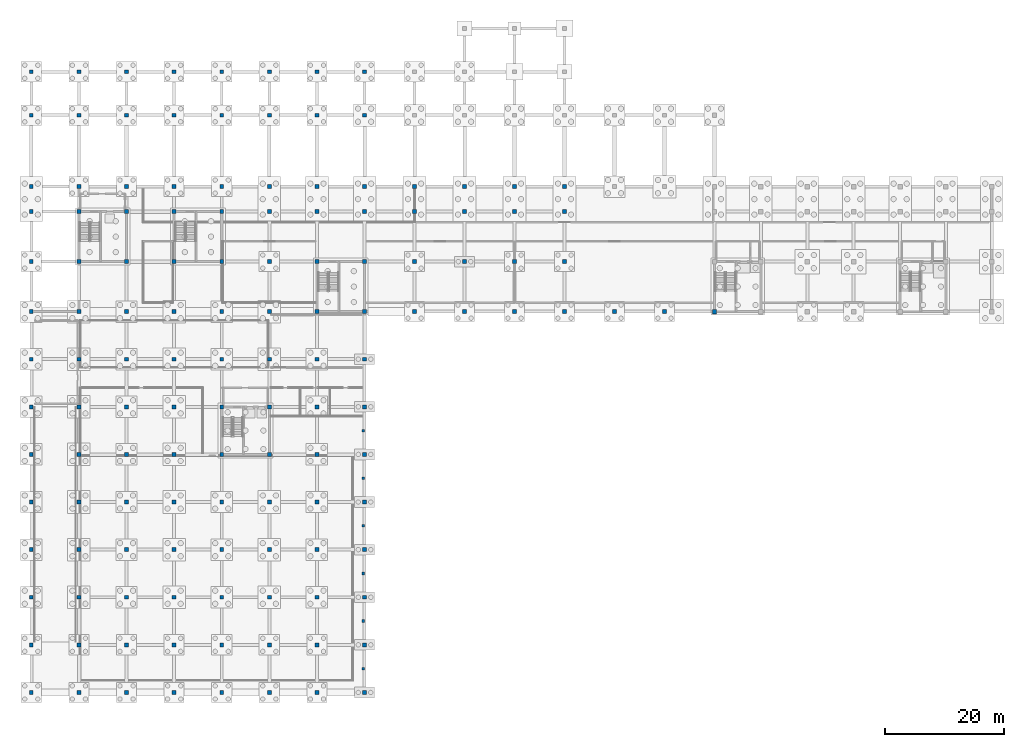
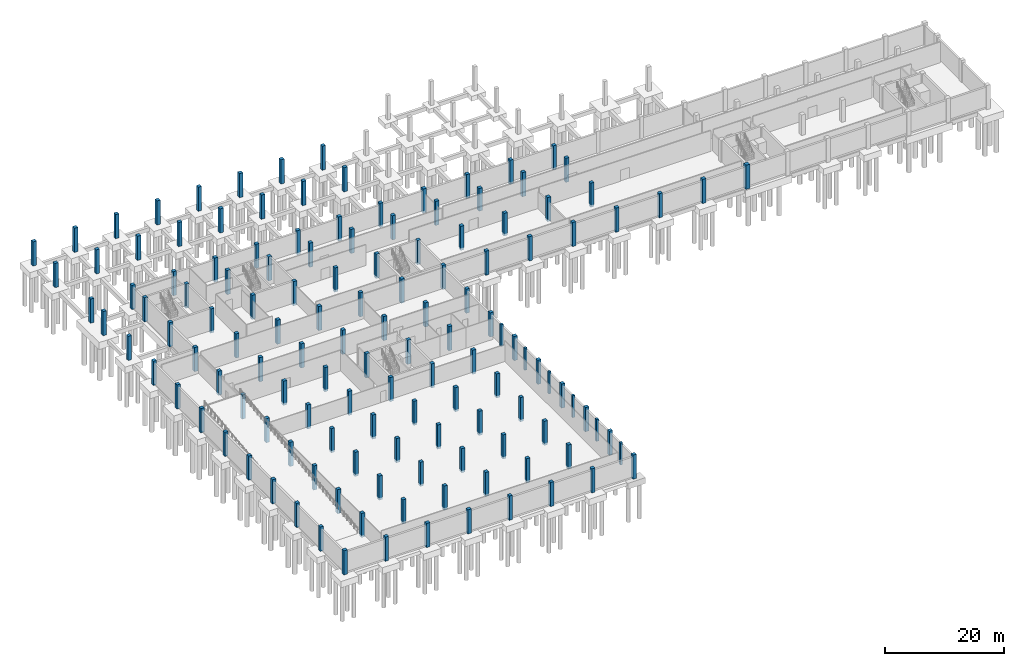
# One storey, part 9 of 22: 137 columns.
"""IFC4 building model written with IfcOpenShell, lengths in metres."""

from ifc_helpers import new_model, si_unit, direction, frame, origin, origin_2d, place, context, subcontext, project, spatial, rectangle, extrude, material, material_profile, profile_set, type_object, element, save


model = new_model("IFC4")

# Units and contexts
model_context = context("Model", 3, precision=1e-05, world=origin(), true_north=direction((0.0, 1.0)))
body_context = subcontext(model_context, "Body", "Model", "MODEL_VIEW")
ifc_project = project(units=[si_unit("LENGTHUNIT", "METRE"), si_unit("AREAUNIT", "SQUARE_METRE"), si_unit("VOLUMEUNIT", "CUBIC_METRE"), si_unit("PLANEANGLEUNIT", "RADIAN"), si_unit("MASSUNIT", "GRAM", prefix="KILO")], contexts=[model_context])

# Site, building, storey
site_placement = place(None, origin())
site = spatial("IfcSite", under=ifc_project, at=site_placement, CompositionType="ELEMENT")
building_placement = place(site_placement, origin())
building = spatial("IfcBuilding", under=site, at=building_placement, Name="Vharandega Faculty of Natural Sciences", CompositionType="ELEMENT")
storey_placement = place(building_placement, frame((0.0, 0.0, -4.5)))
storey = spatial("IfcBuildingStorey", under=building, at=storey_placement, Name="B01", CompositionType="ELEMENT", Elevation=-4.5)

# Columns
ifc_material_1 = material(Name="Concrete C40/50", Category="concrete")
ifc_material_profile_1 = material_profile(ifc_material_1, rectangle(XDim=0.449951171875, YDim=0.449951171875, at=origin_2d()), Name="RC 450x450")
ifc_profile_set_1 = profile_set([ifc_material_profile_1], Name="Concrete C40/50")
column_type_1 = type_object("IfcColumnType", Name="RC Column 450x450", PredefinedType="COLUMN", material=ifc_profile_set_1)
for number, where, z_axis, x_axis, name in (
    (1, (55.77490234375, 4.0, 0.0), (0.0, 0.0, 1.0), (1.0, 0.0, 0.0), "Substructure Pilaster Pier P01"),
    (2, (55.77490234375, 12.0, 0.0), (0.0, 0.0, 1.0), (1.0, 0.0, 0.0), "Substructure Pilaster Pier P02"),
    (3, (55.77490234375, 20.0, 0.0), (0.0, 0.0, 1.0), (1.0, 0.0, 0.0), "Substructure Pilaster Pier P03"),
    (4, (55.77490234375, 28.0, 0.0), (0.0, 0.0, 1.0), (1.0, 0.0, 0.0), "Substructure Pilaster Pier P04"),
    (5, (55.77490234375, 36.0, 0.0), (0.0, 0.0, 1.0), (1.0, 0.0, 0.0), "Substructure Pilaster Pier P05"),
    (6, (55.77490234375, 44.0, 0.0), (0.0, 0.0, 1.0), (1.0, 0.0, 0.0), "Substructure Pilaster Pier P06"),
):
    element("IfcColumn", number, at=place(storey_placement, frame(where, z_axis=z_axis, x_axis=x_axis)), inside=storey, type_object=column_type_1, Name=name, PredefinedType="COLUMN", context=body_context, shape_type="SweptSolid", body=[
        extrude(rectangle(XDim=0.449951171875, YDim=0.449951171875, at=origin_2d()), origin(), (0.0, 0.0, 1.0), 4.5),
    ])
ifc_material_2 = material(Name="Concrete C40/50", Category="concrete")
ifc_material_profile_2 = material_profile(ifc_material_2, rectangle(XDim=0.64990234375, YDim=0.64990234375, at=origin_2d()), Name="RC 650x650")
ifc_profile_set_2 = profile_set([ifc_material_profile_2], Name="Concrete C40/50")
column_type_2 = type_object("IfcColumnType", Name="RC Column 650x650", PredefinedType="COLUMN", material=ifc_profile_set_2)
for number, where, z_axis, x_axis, name in (
    (7, (0.0, 0.0, -0.449951171875), (0.0, 0.0, 1.0), (1.0, 0.0, 0.0), "Column 1/A B01"),
    (8, (0.0, 8.0, -0.449951171875), (0.0, 0.0, 1.0), (1.0, 0.0, 0.0), "Column 1/B B01"),
    (9, (0.0, 16.0, -0.449951171875), (0.0, 0.0, 1.0), (1.0, 0.0, 0.0), "Column 1/C B01"),
    (10, (0.0, 24.0, -0.449951171875), (0.0, 0.0, 1.0), (1.0, 0.0, 0.0), "Column 1/D B01"),
    (11, (0.0, 32.0, -0.449951171875), (0.0, 0.0, 1.0), (1.0, 0.0, 0.0), "Column 1/E B01"),
    (12, (0.0, 40.0, -0.449951171875), (0.0, 0.0, 1.0), (1.0, 0.0, 0.0), "Column 1/F B01"),
    (13, (0.0, 48.0, -0.449951171875), (0.0, 0.0, 1.0), (1.0, 0.0, 0.0), "Column 1/G B01"),
    (14, (0.0, 56.0, -0.449951171875), (0.0, 0.0, 1.0), (1.0, 0.0, 0.0), "Column 1/H B01"),
    (15, (0.0, 64.0, -0.449951171875), (0.0, 0.0, 1.0), (1.0, 0.0, 0.0), "Column 1/J B01"),
    (16, (0.0, 72.39990234375, -0.449951171875), (0.0, 0.0, 1.0), (1.0, 0.0, 0.0), "Column 1/K B01"),
    (17, (0.0, 80.800048828125, -0.449951171875), (0.0, 0.0, 1.0), (1.0, 0.0, 0.0), "Column 1/L B01"),
    (18, (0.0, 85.0, -0.449951171875), (0.0, 0.0, 1.0), (1.0, 0.0, 0.0), "Column 1/M B01"),
    (19, (0.0, 97.0, -0.449951171875), (0.0, 0.0, 1.0), (1.0, 0.0, 0.0), "Column 1/N B01"),
    (20, (0.0, 104.300048828125, -0.449951171875), (0.0, 0.0, 1.0), (1.0, 0.0, 0.0), "Column 1/P B01"),
    (21, (72.800048828125, 64.0, -0.449951171875), (0.0, 0.0, 1.0), (1.0, 0.0, 0.0), "Column 10/J B01"),
):
    element("IfcColumn", number, at=place(storey_placement, frame(where, z_axis=z_axis, x_axis=x_axis)), inside=storey, type_object=column_type_2, Name=name, PredefinedType="COLUMN", context=body_context, shape_type="SweptSolid", body=[
        extrude(rectangle(XDim=0.64990234375, YDim=0.64990234375, at=origin_2d()), origin(), (0.0, 0.0, 1.0), 4.949951171875),
    ])
for number, where, z_axis, x_axis, name in (
    (22, (72.800048828125, 72.39990234375, -0.449951171875), (0.0, 0.0, 1.0), (1.0, 0.0, 0.0), "Column 10/K B01"),
    (23, (72.800048828125, 80.800048828125, -0.449951171875), (0.0, 0.0, 1.0), (1.0, 0.0, 0.0), "Column 10/L B01"),
):
    element("IfcColumn", number, at=place(storey_placement, frame(where, z_axis=z_axis, x_axis=x_axis)), inside=storey, type_object=column_type_2, Name=name, PredefinedType="COLUMN", context=body_context, shape_type="SweptSolid", body=[
        extrude(rectangle(XDim=0.64990234375, YDim=0.64990234375, at=origin_2d()), origin(), (0.0, 0.0, 1.0), 4.64990234375),
    ])
for number, where, z_axis, x_axis, name in (
    (24, (72.800048828125, 85.0, -0.449951171875), (0.0, 0.0, 1.0), (1.0, 0.0, 0.0), "Column 10/M B01"),
    (25, (81.199951171875, 64.0, -0.449951171875), (0.0, 0.0, 1.0), (1.0, 0.0, 0.0), "Column 11/J B01"),
    (26, (81.199951171875, 72.39990234375, -0.449951171875), (0.0, 0.0, 1.0), (1.0, 0.0, 0.0), "Column 11/K B01"),
    (27, (81.199951171875, 80.800048828125, -0.449951171875), (0.0, 0.0, 1.0), (1.0, 0.0, 0.0), "Column 11/L B01"),
    (28, (81.199951171875, 85.0, -0.449951171875), (0.0, 0.0, 1.0), (1.0, 0.0, 0.0), "Column 11/M B01"),
    (29, (89.60009765625, 64.0, -0.449951171875), (0.0, 0.0, 1.0), (1.0, 0.0, 0.0), "Column 12/J B01"),
    (30, (89.60009765625, 72.39990234375, -0.449951171875), (0.0, 0.0, 1.0), (1.0, 0.0, 0.0), "Column 12/K B01"),
    (31, (89.60009765625, 80.800048828125, -0.449951171875), (0.0, 0.0, 1.0), (1.0, 0.0, 0.0), "Column 12/L B01"),
    (32, (89.60009765625, 85.0, -0.449951171875), (0.0, 0.0, 1.0), (1.0, 0.0, 0.0), "Column 12/M B01"),
    (33, (98.0, 64.0, -0.449951171875), (0.0, 0.0, 1.0), (1.0, 0.0, 0.0), "Column 13/J B01"),
    (34, (106.39990234375, 64.0, -0.449951171875), (0.0, 0.0, 1.0), (1.0, 0.0, 0.0), "Column 14/J B01"),
    (35, (8.0, 0.0, -0.449951171875), (0.0, 0.0, 1.0), (1.0, 0.0, 0.0), "Column 2/A B01"),
    (36, (8.0, 8.0, -0.449951171875), (0.0, 0.0, 1.0), (1.0, 0.0, 0.0), "Column 2/B B01"),
    (37, (8.0, 16.0, -0.449951171875), (0.0, 0.0, 1.0), (1.0, 0.0, 0.0), "Column 2/C B01"),
    (38, (8.0, 24.0, -0.449951171875), (0.0, 0.0, 1.0), (1.0, 0.0, 0.0), "Column 2/D B01"),
    (39, (8.0, 32.0, -0.449951171875), (0.0, 0.0, 1.0), (1.0, 0.0, 0.0), "Column 2/E B01"),
    (40, (8.0, 40.0, -0.449951171875), (0.0, 0.0, 1.0), (1.0, 0.0, 0.0), "Column 2/F B01"),
    (41, (8.0, 48.0, -0.449951171875), (0.0, 0.0, 1.0), (1.0, 0.0, 0.0), "Column 2/G B01"),
    (42, (8.0, 56.0, -0.449951171875), (0.0, 0.0, 1.0), (1.0, 0.0, 0.0), "Column 2/H B01"),
    (43, (8.0, 64.0, -0.449951171875), (0.0, 0.0, 1.0), (1.0, 0.0, 0.0), "Column 2/J B01"),
    (44, (8.0, 72.39990234375, -0.449951171875), (0.0, 0.0, 1.0), (1.0, 0.0, 0.0), "Column 2/K B01"),
    (45, (8.0, 80.800048828125, -0.449951171875), (0.0, 0.0, 1.0), (1.0, 0.0, 0.0), "Column 2/L B01"),
    (46, (8.0, 85.0, -0.449951171875), (0.0, 0.0, 1.0), (1.0, 0.0, 0.0), "Column 2/M B01"),
    (47, (8.0, 97.0, -0.449951171875), (0.0, 0.0, 1.0), (1.0, 0.0, 0.0), "Column 2/N B01"),
    (48, (8.0, 104.300048828125, -0.449951171875), (0.0, 0.0, 1.0), (1.0, 0.0, 0.0), "Column 2/P B01"),
    (49, (16.0, 0.0, -0.449951171875), (0.0, 0.0, 1.0), (1.0, 0.0, 0.0), "Column 3/A B01"),
    (50, (16.0, 8.0, -0.449951171875), (0.0, 0.0, 1.0), (1.0, 0.0, 0.0), "Column 3/B B01"),
    (51, (16.0, 16.0, -0.449951171875), (0.0, 0.0, 1.0), (1.0, 0.0, 0.0), "Column 3/C B01"),
    (52, (16.0, 24.0, -0.449951171875), (0.0, 0.0, 1.0), (1.0, 0.0, 0.0), "Column 3/D B01"),
    (53, (16.0, 32.0, -0.449951171875), (0.0, 0.0, 1.0), (1.0, 0.0, 0.0), "Column 3/E B01"),
    (54, (16.0, 40.0, -0.449951171875), (0.0, 0.0, 1.0), (1.0, 0.0, 0.0), "Column 3/F B01"),
    (55, (16.0, 48.0, -0.449951171875), (0.0, 0.0, 1.0), (1.0, 0.0, 0.0), "Column 3/G B01"),
    (56, (16.0, 56.0, -0.449951171875), (0.0, 0.0, 1.0), (1.0, 0.0, 0.0), "Column 3/H B01"),
    (57, (16.0, 64.0, -0.449951171875), (0.0, 0.0, 1.0), (1.0, 0.0, 0.0), "Column 3/J B01"),
    (58, (16.0, 72.39990234375, -0.449951171875), (0.0, 0.0, 1.0), (1.0, 0.0, 0.0), "Column 3/K B01"),
    (59, (16.0, 80.800048828125, -0.449951171875), (0.0, 0.0, 1.0), (1.0, 0.0, 0.0), "Column 3/L B01"),
    (60, (16.0, 85.0, -0.449951171875), (0.0, 0.0, 1.0), (1.0, 0.0, 0.0), "Column 3/M B01"),
    (61, (16.0, 97.0, -0.449951171875), (0.0, 0.0, 1.0), (1.0, 0.0, 0.0), "Column 3/N B01"),
    (62, (16.0, 104.300048828125, -0.449951171875), (0.0, 0.0, 1.0), (1.0, 0.0, 0.0), "Column 3/P B01"),
    (63, (24.0, 0.0, -0.449951171875), (0.0, 0.0, 1.0), (1.0, 0.0, 0.0), "Column 4/A B01"),
    (64, (24.0, 8.0, -0.449951171875), (0.0, 0.0, 1.0), (1.0, 0.0, 0.0), "Column 4/B B01"),
    (65, (24.0, 16.0, -0.449951171875), (0.0, 0.0, 1.0), (1.0, 0.0, 0.0), "Column 4/C B01"),
    (66, (24.0, 24.0, -0.449951171875), (0.0, 0.0, 1.0), (1.0, 0.0, 0.0), "Column 4/D B01"),
    (67, (24.0, 32.0, -0.449951171875), (0.0, 0.0, 1.0), (1.0, 0.0, 0.0), "Column 4/E B01"),
    (68, (24.0, 40.0, -0.449951171875), (0.0, 0.0, 1.0), (1.0, 0.0, 0.0), "Column 4/F B01"),
    (69, (24.0, 48.0, -0.449951171875), (0.0, 0.0, 1.0), (1.0, 0.0, 0.0), "Column 4/G B01"),
    (70, (24.0, 56.0, -0.449951171875), (0.0, 0.0, 1.0), (1.0, 0.0, 0.0), "Column 4/H B01"),
    (71, (24.0, 64.0, -0.449951171875), (0.0, 0.0, 1.0), (1.0, 0.0, 0.0), "Column 4/J B01"),
    (72, (24.0, 72.39990234375, -0.449951171875), (0.0, 0.0, 1.0), (1.0, 0.0, 0.0), "Column 4/K B01"),
    (73, (24.0, 80.800048828125, -0.449951171875), (0.0, 0.0, 1.0), (1.0, 0.0, 0.0), "Column 4/L B01"),
    (74, (24.0, 85.0, -0.449951171875), (0.0, 0.0, 1.0), (1.0, 0.0, 0.0), "Column 4/M B01"),
    (75, (24.0, 97.0, -0.449951171875), (0.0, 0.0, 1.0), (1.0, 0.0, 0.0), "Column 4/N B01"),
    (76, (24.0, 104.300048828125, -0.449951171875), (0.0, 0.0, 1.0), (1.0, 0.0, 0.0), "Column 4/P B01"),
    (77, (32.0, 0.0, -0.449951171875), (0.0, 0.0, 1.0), (1.0, 0.0, 0.0), "Column 5/A B01"),
    (78, (32.0, 8.0, -0.449951171875), (0.0, 0.0, 1.0), (1.0, 0.0, 0.0), "Column 5/B B01"),
    (79, (32.0, 16.0, -0.449951171875), (0.0, 0.0, 1.0), (1.0, 0.0, 0.0), "Column 5/C B01"),
    (80, (32.0, 24.0, -0.449951171875), (0.0, 0.0, 1.0), (1.0, 0.0, 0.0), "Column 5/D B01"),
    (81, (32.0, 32.0, -0.449951171875), (0.0, 0.0, 1.0), (1.0, 0.0, 0.0), "Column 5/E B01"),
    (82, (32.0, 40.0, -0.449951171875), (0.0, 0.0, 1.0), (1.0, 0.0, 0.0), "Column 5/F B01"),
    (83, (32.0, 48.0, -0.449951171875), (0.0, 0.0, 1.0), (1.0, 0.0, 0.0), "Column 5/G B01"),
    (84, (32.0, 56.0, -0.449951171875), (0.0, 0.0, 1.0), (1.0, 0.0, 0.0), "Column 5/H B01"),
    (85, (32.0, 64.0, -0.449951171875), (0.0, 0.0, 1.0), (1.0, 0.0, 0.0), "Column 5/J B01"),
    (86, (32.0, 72.39990234375, -0.449951171875), (0.0, 0.0, 1.0), (1.0, 0.0, 0.0), "Column 5/K B01"),
    (87, (32.0, 80.800048828125, -0.449951171875), (0.0, 0.0, 1.0), (1.0, 0.0, 0.0), "Column 5/L B01"),
    (88, (32.0, 85.0, -0.449951171875), (0.0, 0.0, 1.0), (1.0, 0.0, 0.0), "Column 5/M B01"),
    (89, (32.0, 97.0, -0.449951171875), (0.0, 0.0, 1.0), (1.0, 0.0, 0.0), "Column 5/N B01"),
    (90, (32.0, 104.300048828125, -0.449951171875), (0.0, 0.0, 1.0), (1.0, 0.0, 0.0), "Column 5/P B01"),
    (91, (40.0, 0.0, -0.449951171875), (0.0, 0.0, 1.0), (1.0, 0.0, 0.0), "Column 6/A B01"),
    (92, (40.0, 8.0, -0.449951171875), (0.0, 0.0, 1.0), (1.0, 0.0, 0.0), "Column 6/B B01"),
    (93, (40.0, 16.0, -0.449951171875), (0.0, 0.0, 1.0), (1.0, 0.0, 0.0), "Column 6/C B01"),
    (94, (40.0, 24.0, -0.449951171875), (0.0, 0.0, 1.0), (1.0, 0.0, 0.0), "Column 6/D B01"),
    (95, (40.0, 32.0, -0.449951171875), (0.0, 0.0, 1.0), (1.0, 0.0, 0.0), "Column 6/E B01"),
    (96, (40.0, 40.0, -0.449951171875), (0.0, 0.0, 1.0), (1.0, 0.0, 0.0), "Column 6/F B01"),
    (97, (40.0, 48.0, -0.449951171875), (0.0, 0.0, 1.0), (1.0, 0.0, 0.0), "Column 6/G B01"),
    (98, (40.0, 56.0, -0.449951171875), (0.0, 0.0, 1.0), (1.0, 0.0, 0.0), "Column 6/H B01"),
    (99, (40.0, 64.0, -0.449951171875), (0.0, 0.0, 1.0), (1.0, 0.0, 0.0), "Column 6/J B01"),
    (100, (40.0, 72.39990234375, -0.449951171875), (0.0, 0.0, 1.0), (1.0, 0.0, 0.0), "Column 6/K B01"),
    (101, (40.0, 80.800048828125, -0.449951171875), (0.0, 0.0, 1.0), (1.0, 0.0, 0.0), "Column 6/L B01"),
    (102, (40.0, 85.0, -0.449951171875), (0.0, 0.0, 1.0), (1.0, 0.0, 0.0), "Column 6/M B01"),
    (103, (40.0, 97.0, -0.449951171875), (0.0, 0.0, 1.0), (1.0, 0.0, 0.0), "Column 6/N B01"),
    (104, (40.0, 104.300048828125, -0.449951171875), (0.0, 0.0, 1.0), (1.0, 0.0, 0.0), "Column 6/P B01"),
    (105, (48.0, 0.0, -0.449951171875), (0.0, 0.0, 1.0), (1.0, 0.0, 0.0), "Column 7/A B01"),
    (106, (48.0, 8.0, -0.449951171875), (0.0, 0.0, 1.0), (1.0, 0.0, 0.0), "Column 7/B B01"),
    (107, (48.0, 16.0, -0.449951171875), (0.0, 0.0, 1.0), (1.0, 0.0, 0.0), "Column 7/C B01"),
    (108, (48.0, 24.0, -0.449951171875), (0.0, 0.0, 1.0), (1.0, 0.0, 0.0), "Column 7/D B01"),
    (109, (48.0, 32.0, -0.449951171875), (0.0, 0.0, 1.0), (1.0, 0.0, 0.0), "Column 7/E B01"),
    (110, (48.0, 40.0, -0.449951171875), (0.0, 0.0, 1.0), (1.0, 0.0, 0.0), "Column 7/F B01"),
    (111, (48.0, 48.0, -0.449951171875), (0.0, 0.0, 1.0), (1.0, 0.0, 0.0), "Column 7/G B01"),
    (112, (48.0, 56.0, -0.449951171875), (0.0, 0.0, 1.0), (1.0, 0.0, 0.0), "Column 7/H B01"),
    (113, (48.0, 64.0, -0.449951171875), (0.0, 0.0, 1.0), (1.0, 0.0, 0.0), "Column 7/J B01"),
    (114, (48.0, 72.39990234375, -0.449951171875), (0.0, 0.0, 1.0), (1.0, 0.0, 0.0), "Column 7/K B01"),
    (115, (48.0, 80.800048828125, -0.449951171875), (0.0, 0.0, 1.0), (1.0, 0.0, 0.0), "Column 7/L B01"),
    (116, (48.0, 85.0, -0.449951171875), (0.0, 0.0, 1.0), (1.0, 0.0, 0.0), "Column 7/M B01"),
    (117, (48.0, 97.0, -0.449951171875), (0.0, 0.0, 1.0), (1.0, 0.0, 0.0), "Column 7/N B01"),
    (118, (48.0, 104.300048828125, -0.449951171875), (0.0, 0.0, 1.0), (1.0, 0.0, 0.0), "Column 7/P B01"),
    (119, (56.0, 0.0, -0.449951171875), (0.0, 0.0, 1.0), (1.0, 0.0, 0.0), "Column 8/A B01"),
    (120, (56.0, 8.0, -0.449951171875), (0.0, 0.0, 1.0), (1.0, 0.0, 0.0), "Column 8/B B01"),
    (121, (56.0, 16.0, -0.449951171875), (0.0, 0.0, 1.0), (1.0, 0.0, 0.0), "Column 8/C B01"),
    (122, (56.0, 24.0, -0.449951171875), (0.0, 0.0, 1.0), (1.0, 0.0, 0.0), "Column 8/D B01"),
    (123, (56.0, 32.0, -0.449951171875), (0.0, 0.0, 1.0), (1.0, 0.0, 0.0), "Column 8/E B01"),
    (124, (56.0, 40.0, -0.449951171875), (0.0, 0.0, 1.0), (1.0, 0.0, 0.0), "Column 8/F B01"),
    (125, (56.0, 48.0, -0.449951171875), (0.0, 0.0, 1.0), (1.0, 0.0, 0.0), "Column 8/G B01"),
    (126, (56.0, 56.0, -0.449951171875), (0.0, 0.0, 1.0), (1.0, 0.0, 0.0), "Column 8/H B01"),
    (127, (56.0, 64.0, -0.449951171875), (0.0, 0.0, 1.0), (1.0, 0.0, 0.0), "Column 8/J B01"),
    (128, (56.0, 72.39990234375, -0.449951171875), (0.0, 0.0, 1.0), (1.0, 0.0, 0.0), "Column 8/K B01"),
    (129, (56.0, 80.800048828125, -0.449951171875), (0.0, 0.0, 1.0), (1.0, 0.0, 0.0), "Column 8/L B01"),
    (130, (56.0, 85.0, -0.449951171875), (0.0, 0.0, 1.0), (1.0, 0.0, 0.0), "Column 8/M B01"),
    (131, (56.0, 97.0, -0.449951171875), (0.0, 0.0, 1.0), (1.0, 0.0, 0.0), "Column 8/N B01"),
    (132, (56.0, 104.300048828125, -0.449951171875), (0.0, 0.0, 1.0), (1.0, 0.0, 0.0), "Column 8/P B01"),
    (133, (64.39990234375, 64.0, -0.449951171875), (0.0, 0.0, 1.0), (1.0, 0.0, 0.0), "Column 9/J B01"),
    (134, (64.39990234375, 72.39990234375, -0.449951171875), (0.0, 0.0, 1.0), (1.0, 0.0, 0.0), "Column 9/K B01"),
    (135, (64.39990234375, 80.800048828125, -0.449951171875), (0.0, 0.0, 1.0), (1.0, 0.0, 0.0), "Column 9/L B01"),
    (136, (64.39990234375, 85.0, -0.449951171875), (0.0, 0.0, 1.0), (1.0, 0.0, 0.0), "Column 9/M B01"),
):
    element("IfcColumn", number, at=place(storey_placement, frame(where, z_axis=z_axis, x_axis=x_axis)), inside=storey, type_object=column_type_2, Name=name, PredefinedType="COLUMN", context=body_context, shape_type="SweptSolid", body=[
        extrude(rectangle(XDim=0.64990234375, YDim=0.64990234375, at=origin_2d()), origin(), (0.0, 0.0, 1.0), 4.949951171875),
    ])
ifc_material_3 = material(Name="Concrete C40/50", Category="concrete")
ifc_material_profile_3 = material_profile(ifc_material_3, rectangle(XDim=0.75, YDim=0.75, at=origin_2d()), Name="RC 750x750")
ifc_profile_set_3 = profile_set([ifc_material_profile_3], Name="Concrete C40/50")
column_type_3 = type_object("IfcColumnType", Name="RC Column 750x750", PredefinedType="COLUMN", material=ifc_profile_set_3)
column_placement = place(storey_placement, frame((114.800048828125, 64.0, -0.449951171875), z_axis=(0.0, 0.0, 1.0), x_axis=(1.0, 0.0, 0.0)))
element("IfcColumn", 137, at=column_placement, inside=storey, type_object=column_type_3, Name="Column 15/J B01", PredefinedType="COLUMN", context=body_context, shape_type="SweptSolid", body=[
    extrude(rectangle(XDim=0.75, YDim=0.75, at=origin_2d()), origin(), (0.0, 0.0, 1.0), 4.949951171875),
])

save(model, "model.ifc")
